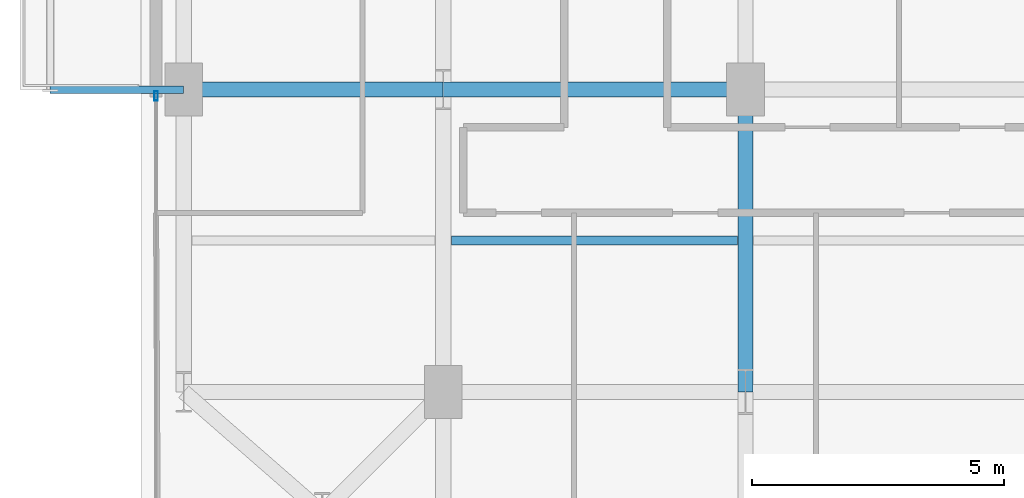
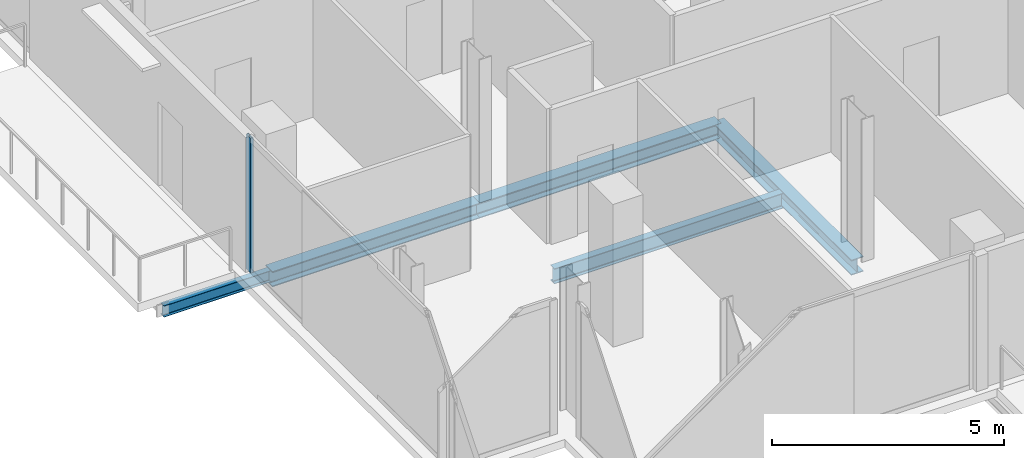
# One storey, part 3 of 22: 5 beams, 1 member, 1 element without a shape of its own.
"""IFC4 building model written with IfcOpenShell, lengths in metres."""

from ifc_helpers import new_model, si_unit, direction, frame, origin, origin_2d, place, context, subcontext, project, spatial, hollow_rectangle, i_section, extrude, material, layer, layer_set, material_profile, profile_set, type_object, element, aggregate, save


model = new_model("IFC4")

# Units and contexts
model_context = context("Model", 3, precision=1e-05, world=origin(), true_north=direction((0.0, 1.0)))
body_context = subcontext(model_context, "Body", "Model", "MODEL_VIEW")
ifc_project = project(units=[si_unit("LENGTHUNIT", "METRE"), si_unit("AREAUNIT", "SQUARE_METRE"), si_unit("VOLUMEUNIT", "CUBIC_METRE"), si_unit("PLANEANGLEUNIT", "RADIAN"), si_unit("MASSUNIT", "GRAM", prefix="KILO"), si_unit("THERMODYNAMICTEMPERATUREUNIT", "KELVIN"), si_unit("POWERUNIT", "WATT")], contexts=[model_context])

# Site, building, storey
site_placement = place(None, origin())
site = spatial("IfcSite", under=ifc_project, at=site_placement, CompositionType="ELEMENT")
building_placement = place(site_placement, origin())
building = spatial("IfcBuilding", under=site, at=building_placement, Name="Svarakhadi Broadcast Tower", CompositionType="ELEMENT")
storey_placement = place(building_placement, frame((0.0, 0.0, 191.699951171875)))
storey = spatial("IfcBuildingStorey", under=building, at=storey_placement, Name="L47", CompositionType="ELEMENT", Elevation=191.699951171875)

# Beam
ifc_material_1 = material(Name="Steel S355J2 (IS 2062 E350C)", Category="steel")
ifc_material_profile_1 = material_profile(ifc_material_1, i_section(OverallWidth=0.179931640625, OverallDepth=0.39990234375, WebThickness=0.008544921875, FlangeThickness=0.013427734375, FilletRadius=0.02099609375, at=origin_2d()), Name="NPB 400x180x66")
ifc_profile_set_1 = profile_set([ifc_material_profile_1], Name="Steel S355J2 (IS 2062 E350C)")
beam_type_1 = type_object("IfcBeamType", Name="Beam_NPB400", PredefinedType="BEAM", material=ifc_profile_set_1)
beam_1_placement = place(storey_placement, frame((6.159912109375, 9.0, -0.409912109375), z_axis=(1.0, 0.0, 0.0), x_axis=(0.0, 1.0, 0.0)))
element("IfcBeam", 1, at=beam_1_placement, inside=storey, type_object=beam_type_1, Name="L47 Secondary Composite Beam SB006", PredefinedType="BEAM", context=body_context, shape_type="SweptSolid", body=[
    extrude(i_section(OverallWidth=0.179931640625, OverallDepth=0.39990234375, WebThickness=0.008544921875, FlangeThickness=0.013427734375, FilletRadius=0.02099609375, at=origin_2d()), origin(), (0.0, 0.0, 1.0), 5.68017578125),
])

# Curtain wall, member
ifc_material_2 = material(Name="Anodised Bronze Aluminium AA 6063-T6", Category="aluminium")
ifc_layer = layer(ifc_material_2, 0.18994140625)
ifc_layer_set = layer_set([ifc_layer], Name="Anodised Bronze Aluminium AA 6063-T6")
curtain_wall_type = type_object("IfcCurtainWallType", Name="CW_Sys_04", PredefinedType="NOTDEFINED", material=ifc_layer_set)
curtain_wall_placement = place(storey_placement, origin())
curtain_wall = element("IfcCurtainWall", 2, at=curtain_wall_placement, inside=storey, type_object=curtain_wall_type, Name="L47 West Curtain Wall 02", PredefinedType="NOTDEFINED")
ifc_material_profile_2 = material_profile(ifc_material_2, hollow_rectangle(XDim=0.070068359375, YDim=0.18994140625, WallThickness=0.005615234375, at=origin_2d()), Name="ALU MULLION 190x70x6")
ifc_profile_set_2 = profile_set([ifc_material_profile_2], Name="Anodised Bronze Aluminium AA 6063-T6")
member_type = type_object("IfcMemberType", Name="CW_Sys_04_Mul", PredefinedType="MULLION", material=ifc_profile_set_2)
member_placement = place(storey_placement, frame((0.300048828125, 11.875, 0.0), z_axis=(0.0, 0.0, 1.0), x_axis=(-1.0, 0.0, 0.0)))
member = element("IfcMember", 3, at=member_placement, type_object=member_type, Name="CW-04 mullion 2", PredefinedType="MULLION", context=body_context, shape_type="SweptSolid", body=[
    extrude(hollow_rectangle(XDim=0.070068359375, YDim=0.18994140625, WallThickness=0.005615234375, at=origin_2d()), origin(), (0.0, 0.0, 1.0), 3.5400390625),
])
aggregate(curtain_wall, [member])

# Beams
ifc_material_profile_3 = material_profile(ifc_material_1, i_section(OverallWidth=0.300048828125, OverallDepth=0.39990234375, WebThickness=0.013427734375, FlangeThickness=0.02392578125, FilletRadius=0.027099609375, at=origin_2d()), Name="WPB 400x300x155")
ifc_profile_set_3 = profile_set([ifc_material_profile_3], Name="Steel S355J2 (IS 2062 E350C)")
beam_type_2 = type_object("IfcBeamType", Name="Girder_WPB400", PredefinedType="USERDEFINED", material=ifc_profile_set_3)
beam_2_placement = place(storey_placement, frame((0.85009765625, 12.0, -0.409912109375), z_axis=(1.0, 0.0, 0.0), x_axis=(0.0, 1.0, 0.0)))
element("IfcBeam", 4, at=beam_2_placement, inside=storey, type_object=beam_type_2, Name="L47 Primary E-W Girder G015", ObjectType="GIRDER", PredefinedType="USERDEFINED", context=body_context, shape_type="SweptSolid", body=[
    extrude(i_section(OverallWidth=0.300048828125, OverallDepth=0.39990234375, WebThickness=0.013427734375, FlangeThickness=0.02392578125, FilletRadius=0.027099609375, at=origin_2d()), origin(), (0.0, 0.0, 1.0), 5.14990234375),
])
for number, where, z_axis, x_axis, name in (
    (5, (6.0, 12.0, -0.409912109375), (1.0, 0.0, 0.0), (0.0, 1.0, 0.0), "L47 Primary E-W Girder G016"),
    (6, (12.0, 6.0, -0.409912109375), (0.0, 1.0, 0.0), (-1.0, 0.0, 0.0), "L47 Primary N-S Girder G043"),
):
    element("IfcBeam", number, at=place(storey_placement, frame(where, z_axis=z_axis, x_axis=x_axis)), inside=storey, type_object=beam_type_2, Name=name, ObjectType="GIRDER", PredefinedType="USERDEFINED", context=body_context, shape_type="SweptSolid", body=[
        extrude(i_section(OverallWidth=0.300048828125, OverallDepth=0.39990234375, WebThickness=0.013427734375, FlangeThickness=0.02392578125, FilletRadius=0.027099609375, at=origin_2d()), origin(), (0.0, 0.0, 1.0), 6.0),
    ])
ifc_material_profile_4 = material_profile(ifc_material_1, i_section(OverallWidth=0.14990234375, OverallDepth=0.300048828125, WebThickness=0.007080078125, FlangeThickness=0.0107421875, FilletRadius=0.014892578125, at=origin_2d()), Name="NPB 300x150x37")
ifc_profile_set_4 = profile_set([ifc_material_profile_4], Name="Steel S355J2 (IS 2062 E350C)")
beam_type_3 = type_object("IfcBeamType", Name="Spandrel_NPB300", PredefinedType="SPANDREL", material=ifc_profile_set_4)
beam_3_placement = place(storey_placement, frame((0.85009765625, 12.0, -0.375), z_axis=(-1.0, 0.0, 0.0), x_axis=(0.0, -1.0, 0.0)))
element("IfcBeam", 7, at=beam_3_placement, inside=storey, type_object=beam_type_3, Name="L47 Balcony Cantilever Bracket 2A", PredefinedType="SPANDREL", context=body_context, shape_type="SweptSolid", body=[
    extrude(i_section(OverallWidth=0.14990234375, OverallDepth=0.300048828125, WebThickness=0.007080078125, FlangeThickness=0.0107421875, FilletRadius=0.014892578125, at=origin_2d()), origin(), (0.0, 0.0, 1.0), 2.650146484375),
])

save(model, "model.ifc")
